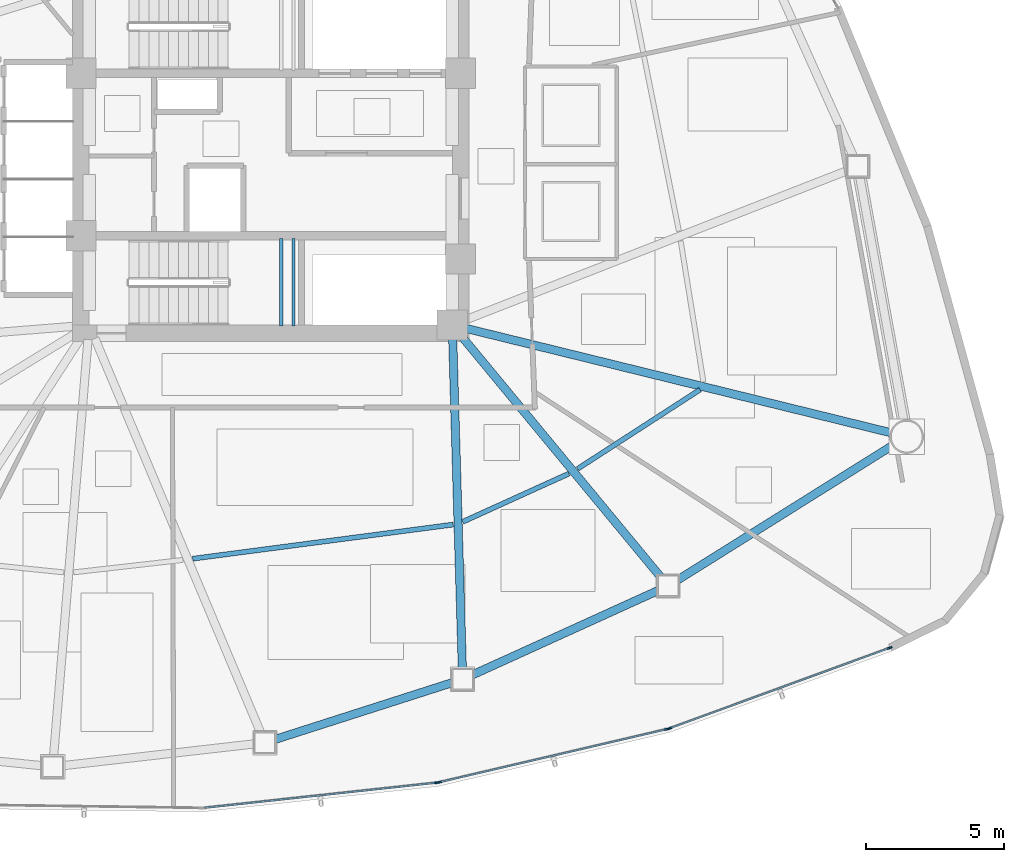
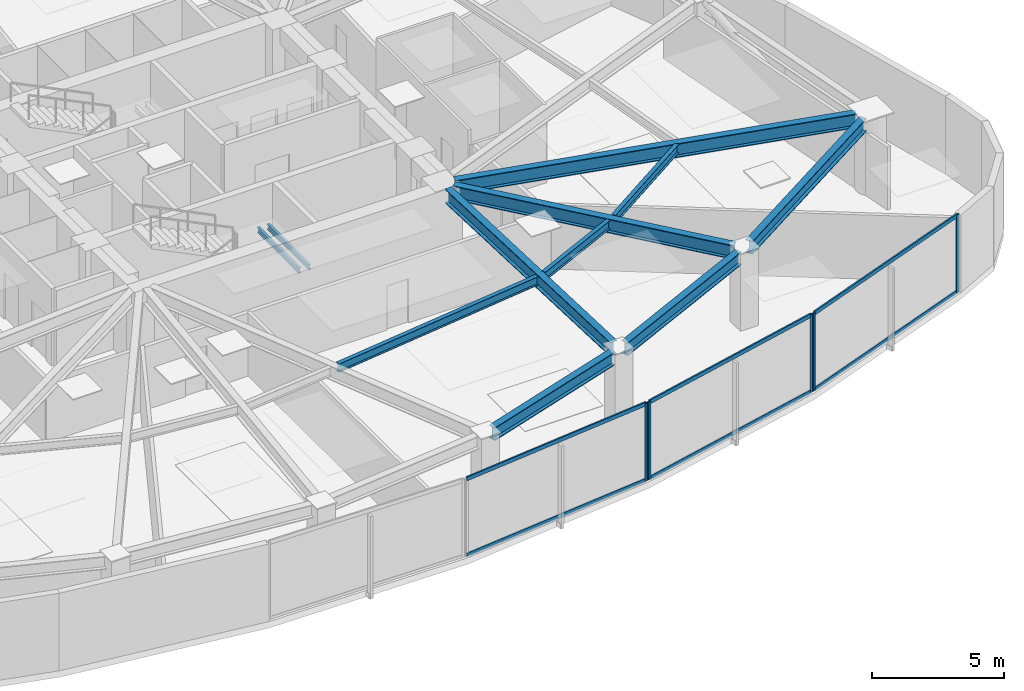
# One storey, part 5 of 16: 11 beams, 11 members, 3 elements without a shape of their own.
"""IFC4 building model written with IfcOpenShell, lengths in metres."""

import ifcopenshell
import ifcopenshell.guid

model = None  # the IFC model being written
_history = None  # IfcOwnerHistory: only IFC2X3 demands one
_inside = {}  # id of a spatial element -> (the spatial element, [elements in it])
_under = {}  # id of a project, library or spatial element -> (it, [spatial elements below it])
_declared = {}  # id of a project -> (the project, [libraries it declares])
_typed = {}  # id of a type object -> (the type object, [elements of that type])
_made_of = {}  # id of a material, layer set ... -> (it, [elements and type objects made of it])


def new_model(schema):
    """Start an empty IFC model of exactly this schema.

    Asked for "IFC4X3", IfcOpenShell would pick the latest addendum, in which some entities
    have other attributes; the version numbers below select the first issue.
    IFC2X3 requires an IfcOwnerHistory on every rooted entity: one is made here for all.
    """
    global model, _history
    if schema == "IFC4X3":
        model = ifcopenshell.file(schema_version=(4, 3, 0, 0))
    else:
        model = ifcopenshell.file(schema=schema)
    _inside.clear()
    _under.clear()
    _declared.clear()
    _typed.clear()
    _made_of.clear()
    _history = None
    if model.schema == "IFC2X3":
        org = make("IfcOrganization", Name="unknown")
        user = make(
            "IfcPersonAndOrganization",
            ThePerson=make("IfcPerson", FamilyName="unknown"),
            TheOrganization=org,
        )
        app = make(
            "IfcApplication",
            ApplicationDeveloper=org,
            Version="unknown",
            ApplicationFullName="unknown",
            ApplicationIdentifier="unknown",
        )
        _history = make(
            "IfcOwnerHistory",
            OwningUser=user,
            OwningApplication=app,
            ChangeAction="ADDED",
            CreationDate=0,
        )
    return model


def make(cls, **values):
    """One entity of the class cls with the attributes given. An attribute that is None is left unset."""
    return model.create_entity(
        cls, **{name: value for name, value in values.items() if value is not None}
    )


def rooted(cls, **values):
    """An entity with a GlobalId (a new one), such as an element, a storey or a relation."""
    return make(cls, GlobalId=ifcopenshell.guid.new(), OwnerHistory=_history, **values)


def si_unit(unit_type, name, prefix=None):
    """IfcSIUnit, for example si_unit("LENGTHUNIT", "METRE", prefix="MILLI")."""
    return make("IfcSIUnit", UnitType=unit_type, Prefix=prefix, Name=name)


def assignment(units):
    """IfcUnitAssignment: the units of a project."""
    return None if units is None else make("IfcUnitAssignment", Units=units)


def point(xyz):
    """IfcCartesianPoint."""
    return None if xyz is None else make("IfcCartesianPoint", Coordinates=xyz)


def direction(xyz):
    """IfcDirection."""
    return None if xyz is None else make("IfcDirection", DirectionRatios=xyz)


def frame(location, z_axis=None, x_axis=None):
    """IfcAxis2Placement3D, a coordinate frame: its origin and axes. An axis left out is left unset."""
    return make(
        "IfcAxis2Placement3D",
        Location=point(location),
        Axis=direction(z_axis),
        RefDirection=direction(x_axis),
    )


def frame_2d(location, x_axis=None):
    """IfcAxis2Placement2D, a coordinate frame in the plane: its origin and x axis."""
    return make(
        "IfcAxis2Placement2D", Location=point(location), RefDirection=direction(x_axis)
    )


def origin():
    """The frame at (0, 0, 0) with its axes left unset."""
    return frame((0.0, 0.0, 0.0))


def origin_2d():
    """The frame at (0, 0) in the plane with its x axis left unset."""
    return frame_2d((0.0, 0.0))


def place(relative_to, where):
    """IfcLocalPlacement: puts the frame where relative to a parent placement (None: the world)."""
    return make(
        "IfcLocalPlacement", PlacementRelTo=relative_to, RelativePlacement=where
    )


def context(
    kind, dimensions, precision=None, world=None, true_north=None, identifier=None
):
    """IfcGeometricRepresentationContext, for example the 3D "Model" context."""
    return make(
        "IfcGeometricRepresentationContext",
        ContextIdentifier=identifier,
        ContextType=kind,
        CoordinateSpaceDimension=dimensions,
        Precision=precision,
        WorldCoordinateSystem=world,
        TrueNorth=true_north,
    )


def subcontext(parent, identifier, kind, view, scale=None):
    """IfcGeometricRepresentationSubContext, for example "Body" below "Model"."""
    return make(
        "IfcGeometricRepresentationSubContext",
        ContextIdentifier=identifier,
        ContextType=kind,
        ParentContext=parent,
        TargetScale=scale,
        TargetView=view,
    )


def project(units=None, contexts=None):
    """IfcProject with its units and contexts."""
    return rooted(
        "IfcProject",
        Name="project",
        RepresentationContexts=contexts,
        UnitsInContext=assignment(units),
    )


def spatial(cls, under=None, at=None, **own):
    """A site, building, storey or space (cls), placed at a placement, below another one or the project."""
    s = rooted(cls, ObjectPlacement=at, **own)
    if under is not None:
        _under.setdefault(under.id(), (under, []))[1].append(s)
    return s


def profile(cls, at=None, kind="AREA", **sizes):
    """A parametric profile (cls). Its sizes go by their IFC names, for example OverallWidth=200.0."""
    return make(cls, ProfileType=kind, Position=at, **sizes)


def hollow_rectangle(**sizes):
    """IfcRectangleHollowProfileDef."""
    return profile("IfcRectangleHollowProfileDef", **sizes)


def i_section(**sizes):
    """IfcIShapeProfileDef."""
    return profile("IfcIShapeProfileDef", **sizes)


def extrude(swept, where, along, depth):
    """IfcExtrudedAreaSolid: the profile swept, set in the frame where, extruded along a direction by depth."""
    return make(
        "IfcExtrudedAreaSolid",
        SweptArea=swept,
        Position=where,
        ExtrudedDirection=direction(along),
        Depth=depth,
    )


def shape(context_of_items, identifier, shape_type, items):
    """IfcShapeRepresentation: the items that make up one representation, for example the "Body"."""
    return make(
        "IfcShapeRepresentation",
        ContextOfItems=context_of_items,
        RepresentationIdentifier=identifier,
        RepresentationType=shape_type,
        Items=items,
    )


def source(mapping_origin, context_of_items, identifier, shape_type, items):
    """IfcRepresentationMap: a shape defined once, which mapped items show again and again."""
    return make(
        "IfcRepresentationMap",
        MappingOrigin=mapping_origin,
        MappedRepresentation=shape(context_of_items, identifier, shape_type, items),
    )


def transform(
    local_origin,
    x_axis=None,
    y_axis=None,
    z_axis=None,
    scale=None,
    scale2=None,
    scale3=None,
    uniform=True,
):
    """IfcCartesianTransformationOperator3D, or its non-uniform kind. x_axis, y_axis, z_axis: its Axis1, 2, 3."""
    if uniform:
        return make(
            "IfcCartesianTransformationOperator3D",
            Axis1=direction(x_axis),
            Axis2=direction(y_axis),
            LocalOrigin=point(local_origin),
            Scale=scale,
            Axis3=direction(z_axis),
        )
    return make(
        "IfcCartesianTransformationOperator3DnonUniform",
        Axis1=direction(x_axis),
        Axis2=direction(y_axis),
        LocalOrigin=point(local_origin),
        Scale=scale,
        Axis3=direction(z_axis),
        Scale2=scale2,
        Scale3=scale3,
    )


def mapped(mapping_source, mapping_target):
    """IfcMappedItem: shows the shape of a source again, moved by a transform."""
    return make(
        "IfcMappedItem", MappingSource=mapping_source, MappingTarget=mapping_target
    )


def material(Name=None, Category=None):
    """IfcMaterial."""
    return make("IfcMaterial", Name=Name, Category=Category)


def layer(
    of_material, thickness, ventilated=None, Name=None, Category=None, Priority=None
):
    """IfcMaterialLayer: one layer of a wall or slab, of a material (None: an air gap)."""
    return make(
        "IfcMaterialLayer",
        Material=of_material,
        LayerThickness=thickness,
        IsVentilated=ventilated,
        Name=Name,
        Category=Category,
        Priority=Priority,
    )


def layer_set(layers, Name=None):
    """IfcMaterialLayerSet."""
    return make("IfcMaterialLayerSet", MaterialLayers=layers, LayerSetName=Name)


def material_profile(
    of_material, cross_section, Name=None, Category=None, Priority=None
):
    """IfcMaterialProfile: a cross section and its material."""
    return make(
        "IfcMaterialProfile",
        Name=Name,
        Material=of_material,
        Profile=cross_section,
        Priority=Priority,
        Category=Category,
    )


def profile_set(profiles, Name=None, composite=None):
    """IfcMaterialProfileSet."""
    return make(
        "IfcMaterialProfileSet",
        Name=Name,
        MaterialProfiles=profiles,
        CompositeProfile=composite,
    )


def made_of(thing, what):
    """Note that an element or type object is made of a material, layer set ...; save() writes the relation."""
    if what is not None:
        _made_of.setdefault(what.id(), (what, []))[1].append(thing)
    return thing


def type_object(cls, material=None, **own):
    """A type object (cls), such as IfcWallType, which elements share."""
    return made_of(rooted(cls, **own), material)


def type_shapes(of_type, sources):
    """Give a type object the sources (RepresentationMaps) that its elements show as mapped items."""
    of_type.RepresentationMaps = sources


def element(
    cls,
    number,
    at=None,
    inside=None,
    cuts=None,
    type_object=None,
    material=None,
    context=None,
    identifier="Body",
    shape_type=None,
    held_by="IfcProductDefinitionShape",
    body=None,
    shapes=None,
    **own,
):
    """One element of the class cls, such as IfcWall. Its Tag is "e" and its number.

    at: its placement. inside: the storey or other place that contains it. cuts: it is an
    opening in that element (IfcRelVoidsElement). A single representation is given by context,
    identifier, shape_type and body (its items); several are given by shapes. held_by: the class
    of the entity that holds the representations. save() writes the other relations.
    """
    e = rooted(cls, Tag="e%d" % number, ObjectPlacement=at, **own)
    if body is not None:
        shapes = [shape(context, identifier, shape_type, body)]
    if shapes is not None:
        e.Representation = make(held_by, Representations=shapes)
    if inside is not None:
        _inside.setdefault(inside.id(), (inside, []))[1].append(e)
    if cuts is not None:
        rooted(
            "IfcRelVoidsElement", RelatingBuildingElement=cuts, RelatedOpeningElement=e
        )
    if type_object is not None:
        _typed.setdefault(type_object.id(), (type_object, []))[1].append(e)
    return made_of(e, material)


def aggregate(whole, parts):
    """IfcRelAggregates: a whole, such as a stair, and the parts it consists of."""
    return rooted("IfcRelAggregates", RelatingObject=whole, RelatedObjects=parts)


def save(model, path):
    """Write the relations noted so far, then the file.

    IfcRelAggregates (storeys below a building ...), IfcRelContainedInSpatialStructure (elements
    in a storey), IfcRelDefinesByType, IfcRelAssociatesMaterial and IfcRelDeclares: one each for
    every whole, place, type object, material and project.
    """
    for whole, parts in _under.values():
        aggregate(whole, parts)
    for where, things in _inside.values():
        rooted(
            "IfcRelContainedInSpatialStructure",
            RelatedElements=things,
            RelatingStructure=where,
        )
    for kind, things in _typed.values():
        rooted("IfcRelDefinesByType", RelatedObjects=things, RelatingType=kind)
    for what, things in _made_of.values():
        rooted("IfcRelAssociatesMaterial", RelatedObjects=things, RelatingMaterial=what)
    for by, libraries in _declared.values():
        rooted("IfcRelDeclares", RelatingContext=by, RelatedDefinitions=libraries)
    model.write(path)


model = new_model("IFC4")

# Units and contexts
model_context = context("Model", 3, precision=1e-05, world=origin(), true_north=direction((0.0, 1.0)))
body_context = subcontext(model_context, "Body", "Model", "MODEL_VIEW")
ifc_project = project(units=[si_unit("LENGTHUNIT", "METRE"), si_unit("AREAUNIT", "SQUARE_METRE"), si_unit("VOLUMEUNIT", "CUBIC_METRE"), si_unit("PLANEANGLEUNIT", "RADIAN"), si_unit("MASSUNIT", "GRAM", prefix="KILO")], contexts=[model_context])

# Site, building, storey
site_placement = place(None, origin())
site = spatial("IfcSite", under=ifc_project, at=site_placement, CompositionType="ELEMENT")
building_placement = place(site_placement, origin())
building = spatial("IfcBuilding", under=site, at=building_placement, Name="Tavelor Broadcast Tower", CompositionType="ELEMENT")
storey_placement = place(building_placement, frame((0.0, 0.0, 35.39990234375)))
storey = spatial("IfcBuildingStorey", under=building, at=storey_placement, Name="L07", CompositionType="ELEMENT", Elevation=35.39990234375)

# Beams
ifc_material_1 = material(Name="Steel S355", Category="steel")
ifc_material_profile_1 = material_profile(ifc_material_1, i_section(OverallWidth=0.179931640625, OverallDepth=0.39990234375, WebThickness=0.008544921875, FlangeThickness=0.013427734375, at=origin_2d()), Name="IPE 400")
ifc_profile_set_1 = profile_set([ifc_material_profile_1], Name="Steel S355")
beam_type_1 = type_object("IfcBeamType", Name="Composite Floor Joist T1 IPE 400", PredefinedType="JOIST", material=ifc_profile_set_1)
beam_1_placement = place(storey_placement, frame((47.16259765625, 30.3056640625, 3.400146484375), z_axis=(0.991514230948, 0.129998191635, 0.0), x_axis=(-0.129998191635, 0.991514230948, 0.0)))
element("IfcBeam", 1, at=beam_1_placement, inside=storey, type_object=beam_type_1, Name="L07 Secondary Composite Floor Joist 10", PredefinedType="JOIST", context=body_context, shape_type="SweptSolid", body=[
    extrude(i_section(OverallWidth=0.179931640625, OverallDepth=0.39990234375, WebThickness=0.008544921875, FlangeThickness=0.013427734375, at=origin_2d()), origin(), (0.0, 0.0, 1.0), 9.5498046875),
])
beam_2_placement = place(storey_placement, frame((56.9755859375, 31.6455078125, 3.400146484375), z_axis=(0.910480737696, 0.413551479607, 0.0), x_axis=(-0.413551479607, 0.910480737696, 0.0)))
element("IfcBeam", 2, at=beam_2_placement, inside=storey, type_object=beam_type_1, Name="L07 Secondary Composite Floor Joist 11", PredefinedType="JOIST", context=body_context, shape_type="SweptSolid", body=[
    extrude(i_section(OverallWidth=0.179931640625, OverallDepth=0.39990234375, WebThickness=0.008544921875, FlangeThickness=0.013427734375, at=origin_2d()), origin(), (0.0, 0.0, 1.0), 4.242919921875),
])
beam_3_placement = place(storey_placement, frame((61.1552734375, 33.573486328125, 3.400146484375), z_axis=(0.839582514508, 0.543232179949, 0.0), x_axis=(-0.543232179949, 0.839582514508, 0.0)))
element("IfcBeam", 3, at=beam_3_placement, inside=storey, type_object=beam_type_1, Name="L07 Secondary Composite Floor Joist 12", PredefinedType="JOIST", context=body_context, shape_type="SweptSolid", body=[
    extrude(i_section(OverallWidth=0.179931640625, OverallDepth=0.39990234375, WebThickness=0.008544921875, FlangeThickness=0.013427734375, at=origin_2d()), origin(), (0.0, 0.0, 1.0), 5.300537109375),
])
ifc_material_profile_2 = material_profile(ifc_material_1, i_section(OverallWidth=0.300048828125, OverallDepth=0.60009765625, WebThickness=0.015380859375, FlangeThickness=0.030029296875, at=origin_2d()), Name="HEB 600")
ifc_profile_set_2 = profile_set([ifc_material_profile_2], Name="Steel S355")
beam_type_2 = type_object("IfcBeamType", Name="Perimeter Spandrel Beam T1 HEB 600", PredefinedType="SPANDREL", material=ifc_profile_set_2)
beam_4_placement = place(storey_placement, frame((50.15234375, 23.735107421875, 3.300048828125), z_axis=(0.952305764648, 0.305145425362, 0.0), x_axis=(-0.305145425362, 0.952305764648, 0.0)))
element("IfcBeam", 4, at=beam_4_placement, inside=storey, type_object=beam_type_2, Name="L07 Framed-Tube Ring Spandrel 10", PredefinedType="SPANDREL", context=body_context, shape_type="SweptSolid", body=[
    extrude(i_section(OverallWidth=0.300048828125, OverallDepth=0.60009765625, WebThickness=0.015380859375, FlangeThickness=0.030029296875, at=origin_2d()), origin(), (0.0, 0.0, 1.0), 6.78076171875),
])
beam_5_placement = place(storey_placement, frame((57.324951171875, 26.080322265625, 3.300048828125), z_axis=(0.910424944341, 0.413674293039, 0.0), x_axis=(-0.413674293039, 0.910424944341, 0.0)))
element("IfcBeam", 5, at=beam_5_placement, inside=storey, type_object=beam_type_2, Name="L07 Framed-Tube Ring Spandrel 11", PredefinedType="SPANDREL", context=body_context, shape_type="SweptSolid", body=[
    extrude(i_section(OverallWidth=0.300048828125, OverallDepth=0.60009765625, WebThickness=0.015380859375, FlangeThickness=0.030029296875, at=origin_2d()), origin(), (0.0, 0.0, 1.0), 7.43505859375),
])
beam_6_placement = place(storey_placement, frame((64.76904296875, 29.518798828125, 3.300048828125), z_axis=(0.847667977469, 0.530527096361, 0.0), x_axis=(-0.530527096361, 0.847667977469, 0.0)))
element("IfcBeam", 6, at=beam_6_placement, inside=storey, type_object=beam_type_2, Name="L07 Framed-Tube Ring Spandrel 12", PredefinedType="SPANDREL", context=body_context, shape_type="SweptSolid", body=[
    extrude(i_section(OverallWidth=0.300048828125, OverallDepth=0.60009765625, WebThickness=0.015380859375, FlangeThickness=0.030029296875, at=origin_2d()), origin(), (0.0, 0.0, 1.0), 9.263916015625),
])
ifc_material_profile_3 = material_profile(ifc_material_1, i_section(OverallWidth=0.300048828125, OverallDepth=0.64990234375, WebThickness=0.01611328125, FlangeThickness=0.031005859375, at=origin_2d()), Name="HEB 650")
ifc_profile_set_3 = profile_set([ifc_material_profile_3], Name="Steel S355")
beam_type_3 = type_object("IfcBeamType", Name="Radial Floor Girder T1 HEB 650", PredefinedType="BEAM", material=ifc_profile_set_3)
beam_7_placement = place(storey_placement, frame((56.615478515625, 38.272216796875, 3.275146484375), z_axis=(0.02912098859, -0.999575894079, 0.0), x_axis=(0.999575894079, 0.02912098859, 0.0)))
element("IfcBeam", 7, at=beam_7_placement, inside=storey, type_object=beam_type_3, Name="L07 Radial Primary Floor Girder 11", PredefinedType="BEAM", context=body_context, shape_type="SweptSolid", body=[
    extrude(i_section(OverallWidth=0.300048828125, OverallDepth=0.64990234375, WebThickness=0.01611328125, FlangeThickness=0.031005859375, at=origin_2d()), origin(), (0.0, 0.0, 1.0), 11.971923828125),
])
beam_8_placement = place(storey_placement, frame((56.9365234375, 38.39306640625, 3.275146484375), z_axis=(0.63726338108, -0.770646081632, 0.0), x_axis=(0.770646081632, 0.63726338108, 0.0)))
element("IfcBeam", 8, at=beam_8_placement, inside=storey, type_object=beam_type_3, Name="L07 Radial Primary Floor Girder 12", PredefinedType="BEAM", context=body_context, shape_type="SweptSolid", body=[
    extrude(i_section(OverallWidth=0.300048828125, OverallDepth=0.64990234375, WebThickness=0.01611328125, FlangeThickness=0.031005859375, at=origin_2d()), origin(), (0.0, 0.0, 1.0), 11.39599609375),
])
beam_9_placement = place(storey_placement, frame((57.11279296875, 38.674072265625, 3.275146484375), z_axis=(0.971150402203, -0.23846780978, 0.0), x_axis=(0.23846780978, 0.971150402203, 0.0)))
element("IfcBeam", 9, at=beam_9_placement, inside=storey, type_object=beam_type_3, Name="L07 Radial Primary Floor Girder 13", PredefinedType="BEAM", context=body_context, shape_type="SweptSolid", body=[
    extrude(i_section(OverallWidth=0.300048828125, OverallDepth=0.64990234375, WebThickness=0.01611328125, FlangeThickness=0.031005859375, at=origin_2d()), origin(), (0.0, 0.0, 1.0), 15.895263671875),
])
ifc_material_profile_4 = material_profile(ifc_material_1, i_section(OverallWidth=0.1201171875, OverallDepth=0.239990234375, WebThickness=0.006103515625, FlangeThickness=0.009765625, at=origin_2d()), Name="IPE 240")
ifc_profile_set_4 = profile_set([ifc_material_profile_4], Name="Steel S355")
beam_type_4 = type_object("IfcBeamType", Name="Stairwell Landing Support Trimmer Beam IPE240", PredefinedType="BEAM", material=ifc_profile_set_4)
for number, where, z_axis, x_axis, name in (
    (10, (50.385009765625, 38.760009765625, 1.635009765625), (0.0, 1.0, 0.0), (-1.0, 0.0, 0.0), "L07 Stair Landing Support Beam 253"),
    (11, (50.824951171875, 38.760009765625, 1.635009765625), (0.0, 1.0, 0.0), (-1.0, 0.0, 0.0), "L07 Stair Landing Support Beam 254"),
):
    element("IfcBeam", number, at=place(storey_placement, frame(where, z_axis=z_axis, x_axis=x_axis)), inside=storey, type_object=beam_type_4, Name=name, PredefinedType="BEAM", context=body_context, shape_type="SweptSolid", body=[
        extrude(i_section(OverallWidth=0.1201171875, OverallDepth=0.239990234375, WebThickness=0.006103515625, FlangeThickness=0.009765625, at=origin_2d()), origin(), (0.0, 0.0, 1.0), 3.179931640625),
    ])

# Curtain wall, member
ifc_material_2 = material(Name="Architectural Anodized Aluminium", Category="aluminium")
ifc_layer = layer(ifc_material_2, 0.179931640625)
ifc_layer_set = layer_set([ifc_layer], Name="Architectural Anodized Aluminium")
curtain_wall_type = type_object("IfcCurtainWallType", Name="Tower Low-Zone Unitised Curtain Wall CW02", PredefinedType="NOTDEFINED", material=ifc_layer_set)
curtain_wall_1_placement = place(storey_placement, origin())
curtain_wall_1 = element("IfcCurtainWall", 12, at=curtain_wall_1_placement, inside=storey, type_object=curtain_wall_type, Name="L07 Curtain Wall CW02 Run 42", PredefinedType="NOTDEFINED")
ifc_material_profile_5 = material_profile(ifc_material_2, hollow_rectangle(XDim=0.06494140625, YDim=0.179931640625, WallThickness=0.02197265625, at=origin_2d()), Name="RHS 65x180x22")
ifc_profile_set_5 = profile_set([ifc_material_profile_5], Name="Architectural Anodized Aluminium")
member_type_1 = type_object("IfcMemberType", Name="CW02 Extruded Aluminium Mullion 65x180", PredefinedType="MULLION", material=ifc_profile_set_5)
shared_shape_1 = source(origin(), body_context, "Body", "SweptSolid", [
    extrude(hollow_rectangle(XDim=0.06494140625, YDim=0.179931640625, WallThickness=0.02197265625, at=origin_2d()), origin(), (0.0, 0.0, 1.0), 3.60009765625),
])
type_shapes(member_type_1, [shared_shape_1])
member_1_placement = place(storey_placement, frame((56.0244140625, 22.163330078125, 0.0), z_axis=(0.0, 0.0, 1.0), x_axis=(-0.107567865191, 0.994197744102, 0.0)))
member_1 = element("IfcMember", 13, at=member_1_placement, type_object=member_type_1, Name="CW02 mullion 2", PredefinedType="MULLION", context=body_context, shape_type="MappedRepresentation", body=[
    mapped(shared_shape_1, transform((0.0, 0.0, 0.0), scale=1.0)),
])

# Curtain wall, members
curtain_wall_2_placement = place(storey_placement, origin())
curtain_wall_2 = element("IfcCurtainWall", 14, at=curtain_wall_2_placement, inside=storey, type_object=curtain_wall_type, Name="L07 Curtain Wall CW02 Run 43", PredefinedType="NOTDEFINED")
member_2_placement = place(storey_placement, frame((56.117919921875, 22.17919921875, 0.0), z_axis=(0.0, 0.0, 1.0), x_axis=(-0.22709905084, 0.973871665625, 0.0)))
member_2 = element("IfcMember", 15, at=member_2_placement, type_object=member_type_1, Name="CW02 mullion 1", PredefinedType="MULLION", context=body_context, shape_type="MappedRepresentation", body=[
    mapped(shared_shape_1, transform((0.0, 0.0, 0.0), scale=1.0)),
])
member_3_placement = place(storey_placement, frame((64.40185546875, 24.11083984375, 0.0), z_axis=(0.0, 0.0, 1.0), x_axis=(-0.22709905084, 0.973871665625, 0.0)))
member_3 = element("IfcMember", 16, at=member_3_placement, type_object=member_type_1, Name="CW02 mullion 2", PredefinedType="MULLION", context=body_context, shape_type="MappedRepresentation", body=[
    mapped(shared_shape_1, transform((0.0, 0.0, 0.0), scale=1.0)),
])

curtain_wall_3_placement = place(storey_placement, origin())
curtain_wall_3 = element("IfcCurtainWall", 17, at=curtain_wall_3_placement, inside=storey, type_object=curtain_wall_type, Name="L07 Curtain Wall CW02 Run 44", PredefinedType="NOTDEFINED")
member_4_placement = place(storey_placement, frame((64.49267578125, 24.137939453125, 0.0), z_axis=(0.0, 0.0, 1.0), x_axis=(-0.343263879039, 0.939239005444, 0.0)))
member_4 = element("IfcMember", 18, at=member_4_placement, type_object=member_type_1, Name="CW02 mullion 1", PredefinedType="MULLION", context=body_context, shape_type="MappedRepresentation", body=[
    mapped(shared_shape_1, transform((0.0, 0.0, 0.0), scale=1.0)),
])
member_5_placement = place(storey_placement, frame((72.4970703125, 27.0634765625, 0.0), z_axis=(0.0, 0.0, 1.0), x_axis=(-0.343263879039, 0.939239005444, 0.0)))
member_5 = element("IfcMember", 19, at=member_5_placement, type_object=member_type_1, Name="CW02 mullion 2", PredefinedType="MULLION", context=body_context, shape_type="MappedRepresentation", body=[
    mapped(shared_shape_1, transform((0.0, 0.0, 0.0), scale=1.0)),
])

# Member
ifc_material_profile_6 = material_profile(ifc_material_2, hollow_rectangle(XDim=0.06494140625, YDim=0.179931640625, WallThickness=0.02197265625, at=origin_2d()), Name="RHS 65x180x22")
ifc_profile_set_6 = profile_set([ifc_material_profile_6], Name="Architectural Anodized Aluminium")
member_type_2 = type_object("IfcMemberType", Name="CW02 Extruded Aluminium Transom 65x180", PredefinedType="USERDEFINED", material=ifc_profile_set_6)
shared_shape_2 = source(origin(), body_context, "Body", "SweptSolid", [
    extrude(hollow_rectangle(XDim=0.06494140625, YDim=0.179931640625, WallThickness=0.02197265625, at=origin_2d()), origin(), (0.0, 0.0, 1.0), 8.44140625),
])
member_6_placement = place(storey_placement, frame((47.599853515625, 21.251708984375, 0.03271484375), z_axis=(0.994195347569, 0.107590012886, 0.0), x_axis=(-0.107590012886, 0.994195347569, 0.0)))
member_6 = element("IfcMember", 20, at=member_6_placement, type_object=member_type_2, Name="CW02 transom 1.1", ObjectType="TRANSOM", PredefinedType="USERDEFINED", context=body_context, shape_type="MappedRepresentation", body=[
    mapped(shared_shape_2, transform((0.0, 0.0, 0.0), scale=1.0)),
])

member_7_placement = place(storey_placement, frame((47.599853515625, 21.251708984375, 3.567626953125), z_axis=(0.994195347569, 0.107590012886, 0.0), x_axis=(-0.107590012886, 0.994195347569, 0.0)))
member_7 = element("IfcMember", 21, at=member_7_placement, type_object=member_type_2, Name="CW02 transom 1.2", ObjectType="TRANSOM", PredefinedType="USERDEFINED", context=body_context, shape_type="MappedRepresentation", body=[
    mapped(shared_shape_2, transform((0.0, 0.0, 0.0), scale=1.0)),
])

aggregate(curtain_wall_1, [member_1, member_6, member_7])

shared_shape_3 = source(origin(), body_context, "Body", "SweptSolid", [
    extrude(hollow_rectangle(XDim=0.06494140625, YDim=0.179931640625, WallThickness=0.02197265625, at=origin_2d()), origin(), (0.0, 0.0, 1.0), 8.457275390625),
])
member_8_placement = place(storey_placement, frame((64.523193359375, 24.149169921875, 0.03271484375), z_axis=(0.939238436204, 0.34326543659, 0.0), x_axis=(-0.34326543659, 0.939238436204, 0.0)))
member_8 = element("IfcMember", 22, at=member_8_placement, type_object=member_type_2, Name="CW02 transom 1.1", ObjectType="TRANSOM", PredefinedType="USERDEFINED", context=body_context, shape_type="MappedRepresentation", body=[
    mapped(shared_shape_3, transform((0.0, 0.0, 0.0), scale=1.0)),
])

member_9_placement = place(storey_placement, frame((64.523193359375, 24.149169921875, 3.567626953125), z_axis=(0.939238436204, 0.34326543659, 0.0), x_axis=(-0.34326543659, 0.939238436204, 0.0)))
member_9 = element("IfcMember", 23, at=member_9_placement, type_object=member_type_2, Name="CW02 transom 1.2", ObjectType="TRANSOM", PredefinedType="USERDEFINED", context=body_context, shape_type="MappedRepresentation", body=[
    mapped(shared_shape_3, transform((0.0, 0.0, 0.0), scale=1.0)),
])

aggregate(curtain_wall_3, [member_4, member_5, member_8, member_9])

shared_shape_4 = source(origin(), body_context, "Body", "SweptSolid", [
    extrude(hollow_rectangle(XDim=0.06494140625, YDim=0.179931640625, WallThickness=0.02197265625, at=origin_2d()), origin(), (0.0, 0.0, 1.0), 8.44091796875),
])
type_shapes(member_type_2, [shared_shape_2, shared_shape_3, shared_shape_4])
member_10_placement = place(storey_placement, frame((56.149658203125, 22.1865234375, 0.03271484375), z_axis=(0.973870429582, 0.227104351314, 0.0), x_axis=(-0.227104351314, 0.973870429582, 0.0)))
member_10 = element("IfcMember", 24, at=member_10_placement, type_object=member_type_2, Name="CW02 transom 1.1", ObjectType="TRANSOM", PredefinedType="USERDEFINED", context=body_context, shape_type="MappedRepresentation", body=[
    mapped(shared_shape_4, transform((0.0, 0.0, 0.0), scale=1.0)),
])

member_11_placement = place(storey_placement, frame((56.149658203125, 22.1865234375, 3.567626953125), z_axis=(0.973870429582, 0.227104351314, 0.0), x_axis=(-0.227104351314, 0.973870429582, 0.0)))
member_11 = element("IfcMember", 25, at=member_11_placement, type_object=member_type_2, Name="CW02 transom 1.2", ObjectType="TRANSOM", PredefinedType="USERDEFINED", context=body_context, shape_type="MappedRepresentation", body=[
    mapped(shared_shape_4, transform((0.0, 0.0, 0.0), scale=1.0)),
])

aggregate(curtain_wall_2, [member_2, member_3, member_10, member_11])

save(model, "model.ifc")
